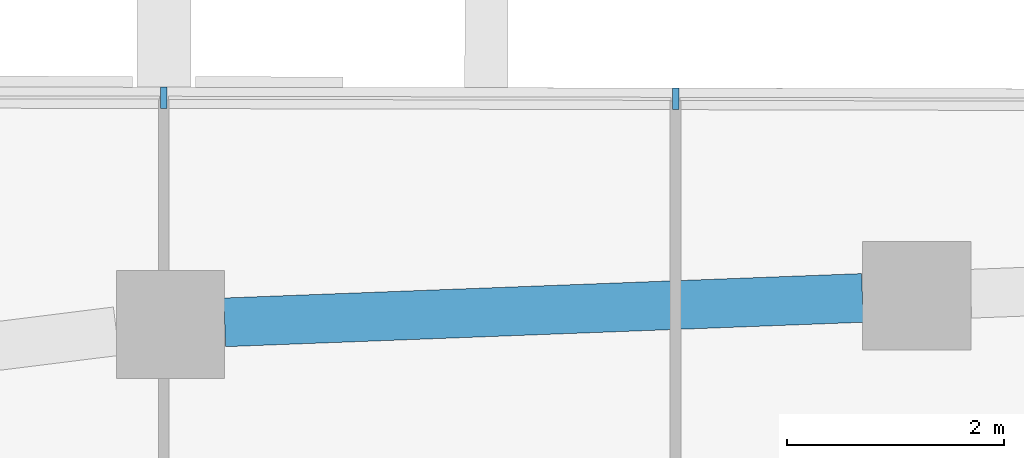
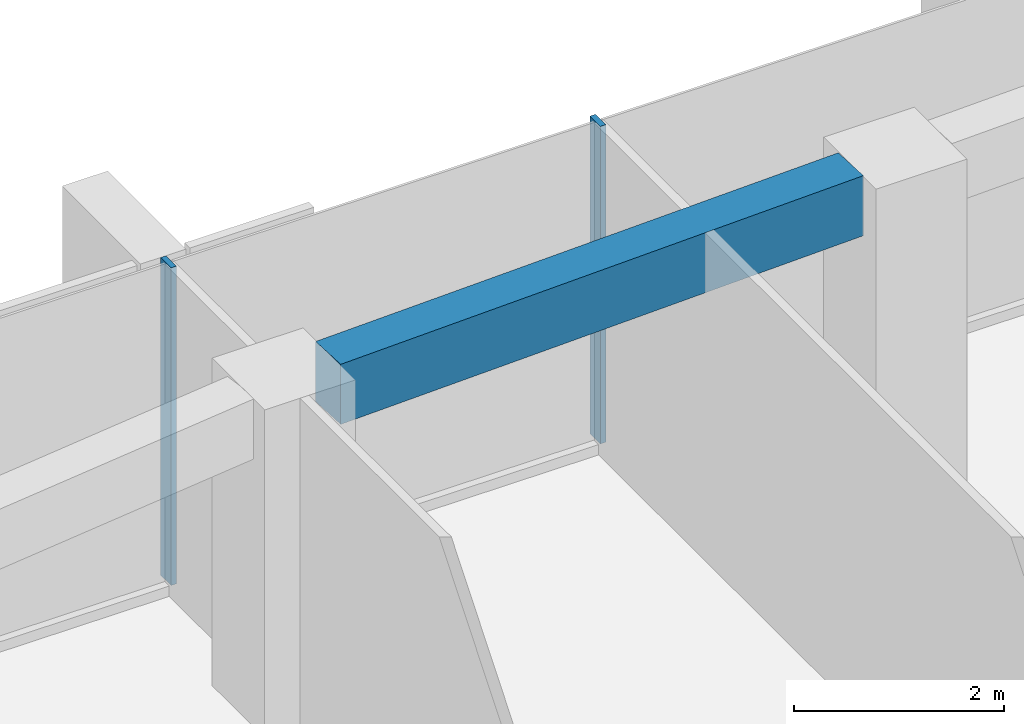
# One storey, part 7 of 24: 2 members, 1 beam, 1 element without a shape of its own.
"""IFC4 building model written with IfcOpenShell, lengths in metres."""

from ifc_helpers import new_model, si_unit, direction, frame, origin, origin_2d, place, context, subcontext, project, spatial, rectangle, extrude, material, layer, layer_set, material_profile, profile_set, type_object, element, aggregate, save


model = new_model("IFC4")

# Units and contexts
model_context = context("Model", 3, precision=1e-05, world=origin(), true_north=direction((0.0, 1.0)))
body_context = subcontext(model_context, "Body", "Model", "MODEL_VIEW")
ifc_project = project(units=[si_unit("LENGTHUNIT", "METRE"), si_unit("AREAUNIT", "SQUARE_METRE"), si_unit("VOLUMEUNIT", "CUBIC_METRE"), si_unit("PLANEANGLEUNIT", "RADIAN"), si_unit("MASSUNIT", "GRAM", prefix="KILO")], contexts=[model_context])

# Site, building, storey
site_placement = place(None, origin())
site = spatial("IfcSite", under=ifc_project, at=site_placement, CompositionType="ELEMENT")
building_placement = place(site_placement, origin())
building = spatial("IfcBuilding", under=site, at=building_placement, Name="Dongbaek Canopy Tower", CompositionType="ELEMENT")
storey_placement = place(building_placement, frame((0.0, 0.0, 306.800048828125)))
storey = spatial("IfcBuildingStorey", under=building, at=storey_placement, Name="L65", CompositionType="ELEMENT", Elevation=306.800048828125)

# Curtain wall, members
ifc_material_1 = material(Name="Aluminium 6063-T6 pale anodised", Category="aluminium")
ifc_layer = layer(ifc_material_1, 0.199951171875)
ifc_layer_set = layer_set([ifc_layer], Name="CW-1 unitised tower curtain wall")
curtain_wall_type = type_object("IfcCurtainWallType", Name="CW-1 unitised tower curtain wall", PredefinedType="NOTDEFINED", material=ifc_layer_set)
curtain_wall_placement = place(storey_placement, origin())
curtain_wall = element("IfcCurtainWall", 1, at=curtain_wall_placement, inside=storey, type_object=curtain_wall_type, Name="CW-1 curtain wall F1.1", PredefinedType="NOTDEFINED")
ifc_material_2 = material(Name="Aluminium 6063-T6 pale anodised", Category="aluminium")
ifc_material_profile_1 = material_profile(ifc_material_2, rectangle(XDim=0.199951171875, YDim=0.06005859375, at=origin_2d()), Name="CW-1 mullion 60 x 200")
ifc_profile_set_1 = profile_set([ifc_material_profile_1], Name="Aluminium 6063-T6 pale anodised")
member_type = type_object("IfcMemberType", Name="CW-1 mullion 60 x 200", PredefinedType="MULLION", material=ifc_profile_set_1)
member_1_placement = place(storey_placement, frame((-3.64453125, 29.24755859375, 0.119873046875), z_axis=(0.0, 0.0, 1.0), x_axis=(0.002180161438, 0.999997623445, 0.0)))
member_1 = element("IfcMember", 2, at=member_1_placement, type_object=member_type, Name="CW-1 mullion F1.1.4", PredefinedType="MULLION", context=body_context, shape_type="SweptSolid", body=[
    extrude(rectangle(XDim=0.199951171875, YDim=0.06005859375, at=origin_2d()), origin(), (0.0, 0.0, 1.0), 3.7001953125),
])
member_2_placement = place(storey_placement, frame((-8.370849609375, 29.2578125, 0.119873046875), z_axis=(0.0, 0.0, 1.0), x_axis=(0.002180161438, 0.999997623445, 0.0)))
member_2 = element("IfcMember", 3, at=member_2_placement, type_object=member_type, Name="CW-1 mullion F1.1.5", PredefinedType="MULLION", context=body_context, shape_type="SweptSolid", body=[
    extrude(rectangle(XDim=0.199951171875, YDim=0.06005859375, at=origin_2d()), origin(), (0.0, 0.0, 1.0), 3.7001953125),
])
aggregate(curtain_wall, [member_1, member_2])

# Beam
ifc_material_3 = material(Name="Concrete C60", Category="concrete")
ifc_material_profile_2 = material_profile(ifc_material_3, rectangle(XDim=0.449951171875, YDim=0.699951171875, at=origin_2d()), Name="RC EDGE BEAM 450x700 C60")
ifc_profile_set_2 = profile_set([ifc_material_profile_2], Name="Concrete C60")
beam_type = type_object("IfcBeamType", Name="RC EDGE BEAM 450x700 C60", PredefinedType="BEAM", material=ifc_profile_set_2)
beam_placement = place(storey_placement, frame((-7.80908203125, 27.18310546875, 3.469970703125), z_axis=(0.999267644391, 0.038264538061, 0.0), x_axis=(-0.038264538061, 0.999267644391, 0.0)))
element("IfcBeam", 4, at=beam_placement, inside=storey, type_object=beam_type, Name="EDGEBEAM:L65:14", PredefinedType="BEAM", context=body_context, shape_type="SweptSolid", body=[
    extrude(rectangle(XDim=0.449951171875, YDim=0.699951171875, at=origin_2d()), origin(), (0.0, 0.0, 1.0), 5.8955078125),
])

save(model, "model.ifc")
